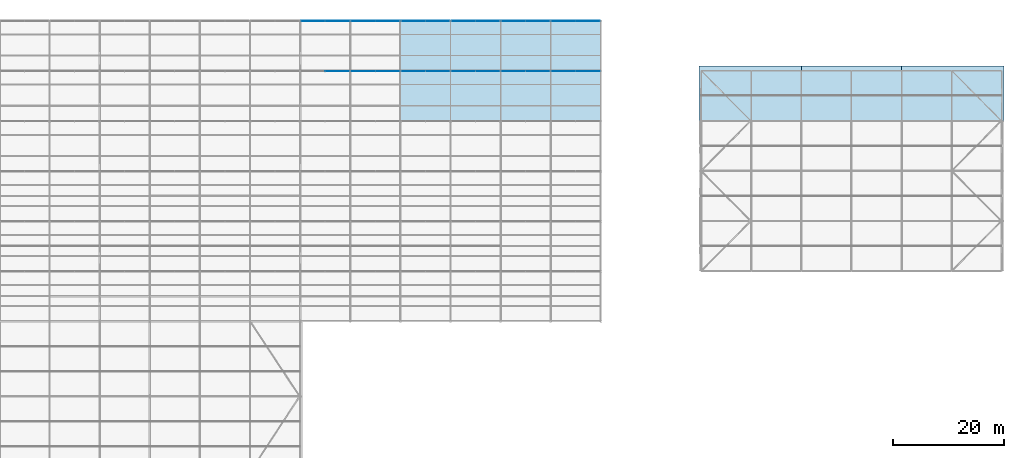
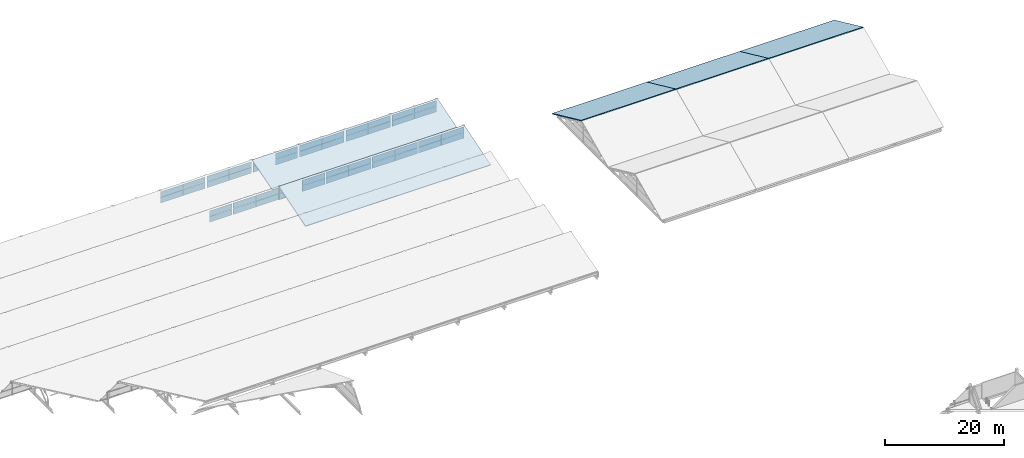
# One storey, part 116 of 163: 46 plates, 5 slabs, 12 elements without a shape of their own.
"""IFC4 building model written with IfcOpenShell, lengths in metres."""

from ifc_helpers import new_model, si_unit, direction, frame, origin, origin_2d, place, context, subcontext, project, spatial, polyline, rectangle, outline, extrude, material, layer, layer_set, type_object, element, aggregate, save


model = new_model("IFC4")

# Units and contexts
model_context = context("Model", 3, precision=1e-05, world=origin(), true_north=direction((0.0, 1.0)))
body_context = subcontext(model_context, "Body", "Model", "MODEL_VIEW")
ifc_project = project(units=[si_unit("LENGTHUNIT", "METRE"), si_unit("AREAUNIT", "SQUARE_METRE"), si_unit("VOLUMEUNIT", "CUBIC_METRE"), si_unit("PLANEANGLEUNIT", "RADIAN"), si_unit("MASSUNIT", "GRAM", prefix="KILO")], contexts=[model_context])

# Site, building, storey
site_placement = place(None, origin())
site = spatial("IfcSite", under=ifc_project, at=site_placement, CompositionType="ELEMENT")
building_placement = place(site_placement, origin())
building = spatial("IfcBuilding", under=site, at=building_placement, Name="Tharagai Park Tramway Depot", CompositionType="ELEMENT")
storey_placement = place(building_placement, frame((0.0, 0.0, 8.39990234375)))
storey = spatial("IfcBuildingStorey", under=building, at=storey_placement, Name="L02", CompositionType="ELEMENT", Elevation=8.39990234375)

# Curtain wall, plates
ifc_material_1 = material(Name="Anodised aluminium", Category="aluminium")
curtain_wall_type_1 = type_object("IfcCurtainWallType", Name="CW-04", PredefinedType="NOTDEFINED", material=ifc_material_1)
curtain_wall_1_placement = place(storey_placement, origin())
curtain_wall_1 = element("IfcCurtainWall", 1, at=curtain_wall_1_placement, inside=storey, type_object=curtain_wall_type_1, Name="Sawtooth North-Light Clerestory CW-04", PredefinedType="NOTDEFINED")
ifc_material_2 = material(Name="Laminated solar-control glass", Category="glass")
ifc_layer_1 = layer(ifc_material_2, 0.028076171875)
ifc_layer_set_1 = layer_set([ifc_layer_1], Name="Laminated solar-control glass")
plate_type = type_object("IfcPlateType", Name="CP-02", PredefinedType="CURTAIN_PANEL", material=ifc_layer_set_1)
plate_1_placement = place(storey_placement, frame((96.699951171875, 134.919921875, 1.28515625), z_axis=(0.0, 0.0, 1.0), x_axis=(1.0, 0.0, 0.0)))
plate_1 = element("IfcPlate", 2, at=plate_1_placement, type_object=plate_type, Name="Sawtooth North-Light Clerestory Glazed Panel 2.1", PredefinedType="CURTAIN_PANEL", context=body_context, shape_type="SweptSolid", body=[
    extrude(rectangle(XDim=4.3798828125, YDim=0.028076171875, at=origin_2d()), origin(), (0.0, 0.0, 1.0), 1.168701171875),
])
plate_2_placement = place(storey_placement, frame((96.699951171875, 134.919921875, 2.49365234375), z_axis=(0.0, 0.0, 1.0), x_axis=(1.0, 0.0, 0.0)))
plate_2 = element("IfcPlate", 3, at=plate_2_placement, type_object=plate_type, Name="Sawtooth North-Light Clerestory Glazed Panel 2.2", PredefinedType="CURTAIN_PANEL", context=body_context, shape_type="SweptSolid", body=[
    extrude(rectangle(XDim=4.3798828125, YDim=0.028076171875, at=origin_2d()), origin(), (0.0, 0.0, 1.0), 1.148681640625),
])
aggregate(curtain_wall_1, [plate_1, plate_2])

curtain_wall_2_placement = place(storey_placement, origin())
curtain_wall_2 = element("IfcCurtainWall", 4, at=curtain_wall_2_placement, inside=storey, type_object=curtain_wall_type_1, Name="Sawtooth North-Light Clerestory CW-04", PredefinedType="NOTDEFINED")
plate_3_placement = place(storey_placement, frame((101.300048828125, 134.919921875, 1.28515625), z_axis=(0.0, 0.0, 1.0), x_axis=(1.0, 0.0, 0.0)))
plate_3 = element("IfcPlate", 5, at=plate_3_placement, type_object=plate_type, Name="Sawtooth North-Light Clerestory Glazed Panel 1.1", PredefinedType="CURTAIN_PANEL", context=body_context, shape_type="SweptSolid", body=[
    extrude(rectangle(XDim=4.3798828125, YDim=0.028076171875, at=origin_2d()), origin(), (0.0, 0.0, 1.0), 1.168701171875),
])
plate_4_placement = place(storey_placement, frame((101.300048828125, 134.919921875, 2.49365234375), z_axis=(0.0, 0.0, 1.0), x_axis=(1.0, 0.0, 0.0)))
plate_4 = element("IfcPlate", 6, at=plate_4_placement, type_object=plate_type, Name="Sawtooth North-Light Clerestory Glazed Panel 1.2", PredefinedType="CURTAIN_PANEL", context=body_context, shape_type="SweptSolid", body=[
    extrude(rectangle(XDim=4.3798828125, YDim=0.028076171875, at=origin_2d()), origin(), (0.0, 0.0, 1.0), 1.148681640625),
])
plate_5_placement = place(storey_placement, frame((105.699951171875, 134.919921875, 1.28515625), z_axis=(0.0, 0.0, 1.0), x_axis=(1.0, 0.0, 0.0)))
plate_5 = element("IfcPlate", 7, at=plate_5_placement, type_object=plate_type, Name="Sawtooth North-Light Clerestory Glazed Panel 2.1", PredefinedType="CURTAIN_PANEL", context=body_context, shape_type="SweptSolid", body=[
    extrude(rectangle(XDim=4.3798828125, YDim=0.028076171875, at=origin_2d()), origin(), (0.0, 0.0, 1.0), 1.168701171875),
])
plate_6_placement = place(storey_placement, frame((105.699951171875, 134.919921875, 2.49365234375), z_axis=(0.0, 0.0, 1.0), x_axis=(1.0, 0.0, 0.0)))
plate_6 = element("IfcPlate", 8, at=plate_6_placement, type_object=plate_type, Name="Sawtooth North-Light Clerestory Glazed Panel 2.2", PredefinedType="CURTAIN_PANEL", context=body_context, shape_type="SweptSolid", body=[
    extrude(rectangle(XDim=4.3798828125, YDim=0.028076171875, at=origin_2d()), origin(), (0.0, 0.0, 1.0), 1.148681640625),
])
aggregate(curtain_wall_2, [plate_3, plate_4, plate_5, plate_6])

curtain_wall_3_placement = place(storey_placement, origin())
curtain_wall_3 = element("IfcCurtainWall", 9, at=curtain_wall_3_placement, inside=storey, type_object=curtain_wall_type_1, Name="Sawtooth North-Light Clerestory CW-04", PredefinedType="NOTDEFINED")
plate_7_placement = place(storey_placement, frame((110.300048828125, 134.919921875, 1.28515625), z_axis=(0.0, 0.0, 1.0), x_axis=(1.0, 0.0, 0.0)))
plate_7 = element("IfcPlate", 10, at=plate_7_placement, type_object=plate_type, Name="Sawtooth North-Light Clerestory Glazed Panel 1.1", PredefinedType="CURTAIN_PANEL", context=body_context, shape_type="SweptSolid", body=[
    extrude(rectangle(XDim=4.3798828125, YDim=0.028076171875, at=origin_2d()), origin(), (0.0, 0.0, 1.0), 1.168701171875),
])
plate_8_placement = place(storey_placement, frame((110.300048828125, 134.919921875, 2.49365234375), z_axis=(0.0, 0.0, 1.0), x_axis=(1.0, 0.0, 0.0)))
plate_8 = element("IfcPlate", 11, at=plate_8_placement, type_object=plate_type, Name="Sawtooth North-Light Clerestory Glazed Panel 1.2", PredefinedType="CURTAIN_PANEL", context=body_context, shape_type="SweptSolid", body=[
    extrude(rectangle(XDim=4.3798828125, YDim=0.028076171875, at=origin_2d()), origin(), (0.0, 0.0, 1.0), 1.148681640625),
])
plate_9_placement = place(storey_placement, frame((114.699951171875, 134.919921875, 1.28515625), z_axis=(0.0, 0.0, 1.0), x_axis=(1.0, 0.0, 0.0)))
plate_9 = element("IfcPlate", 12, at=plate_9_placement, type_object=plate_type, Name="Sawtooth North-Light Clerestory Glazed Panel 2.1", PredefinedType="CURTAIN_PANEL", context=body_context, shape_type="SweptSolid", body=[
    extrude(rectangle(XDim=4.3798828125, YDim=0.028076171875, at=origin_2d()), origin(), (0.0, 0.0, 1.0), 1.168701171875),
])
plate_10_placement = place(storey_placement, frame((114.699951171875, 134.919921875, 2.49365234375), z_axis=(0.0, 0.0, 1.0), x_axis=(1.0, 0.0, 0.0)))
plate_10 = element("IfcPlate", 13, at=plate_10_placement, type_object=plate_type, Name="Sawtooth North-Light Clerestory Glazed Panel 2.2", PredefinedType="CURTAIN_PANEL", context=body_context, shape_type="SweptSolid", body=[
    extrude(rectangle(XDim=4.3798828125, YDim=0.028076171875, at=origin_2d()), origin(), (0.0, 0.0, 1.0), 1.148681640625),
])
aggregate(curtain_wall_3, [plate_7, plate_8, plate_9, plate_10])

curtain_wall_4_placement = place(storey_placement, origin())
curtain_wall_4 = element("IfcCurtainWall", 14, at=curtain_wall_4_placement, inside=storey, type_object=curtain_wall_type_1, Name="Sawtooth North-Light Clerestory CW-04", PredefinedType="NOTDEFINED")
plate_11_placement = place(storey_placement, frame((119.300048828125, 134.919921875, 1.28515625), z_axis=(0.0, 0.0, 1.0), x_axis=(1.0, 0.0, 0.0)))
plate_11 = element("IfcPlate", 15, at=plate_11_placement, type_object=plate_type, Name="Sawtooth North-Light Clerestory Glazed Panel 1.1", PredefinedType="CURTAIN_PANEL", context=body_context, shape_type="SweptSolid", body=[
    extrude(rectangle(XDim=4.3798828125, YDim=0.028076171875, at=origin_2d()), origin(), (0.0, 0.0, 1.0), 1.168701171875),
])
plate_12_placement = place(storey_placement, frame((119.300048828125, 134.919921875, 2.49365234375), z_axis=(0.0, 0.0, 1.0), x_axis=(1.0, 0.0, 0.0)))
plate_12 = element("IfcPlate", 16, at=plate_12_placement, type_object=plate_type, Name="Sawtooth North-Light Clerestory Glazed Panel 1.2", PredefinedType="CURTAIN_PANEL", context=body_context, shape_type="SweptSolid", body=[
    extrude(rectangle(XDim=4.3798828125, YDim=0.028076171875, at=origin_2d()), origin(), (0.0, 0.0, 1.0), 1.148681640625),
])
plate_13_placement = place(storey_placement, frame((123.699951171875, 134.919921875, 1.28515625), z_axis=(0.0, 0.0, 1.0), x_axis=(1.0, 0.0, 0.0)))
plate_13 = element("IfcPlate", 17, at=plate_13_placement, type_object=plate_type, Name="Sawtooth North-Light Clerestory Glazed Panel 2.1", PredefinedType="CURTAIN_PANEL", context=body_context, shape_type="SweptSolid", body=[
    extrude(rectangle(XDim=4.3798828125, YDim=0.028076171875, at=origin_2d()), origin(), (0.0, 0.0, 1.0), 1.168701171875),
])
plate_14_placement = place(storey_placement, frame((123.699951171875, 134.919921875, 2.49365234375), z_axis=(0.0, 0.0, 1.0), x_axis=(1.0, 0.0, 0.0)))
plate_14 = element("IfcPlate", 18, at=plate_14_placement, type_object=plate_type, Name="Sawtooth North-Light Clerestory Glazed Panel 2.2", PredefinedType="CURTAIN_PANEL", context=body_context, shape_type="SweptSolid", body=[
    extrude(rectangle(XDim=4.3798828125, YDim=0.028076171875, at=origin_2d()), origin(), (0.0, 0.0, 1.0), 1.148681640625),
])
aggregate(curtain_wall_4, [plate_11, plate_12, plate_13, plate_14])

curtain_wall_5_placement = place(storey_placement, origin())
curtain_wall_5 = element("IfcCurtainWall", 19, at=curtain_wall_5_placement, inside=storey, type_object=curtain_wall_type_1, Name="Sawtooth North-Light Clerestory CW-04", PredefinedType="NOTDEFINED")
plate_15_placement = place(storey_placement, frame((128.300048828125, 134.919921875, 1.28515625), z_axis=(0.0, 0.0, 1.0), x_axis=(1.0, 0.0, 0.0)))
plate_15 = element("IfcPlate", 20, at=plate_15_placement, type_object=plate_type, Name="Sawtooth North-Light Clerestory Glazed Panel 1.1", PredefinedType="CURTAIN_PANEL", context=body_context, shape_type="SweptSolid", body=[
    extrude(rectangle(XDim=4.3798828125, YDim=0.028076171875, at=origin_2d()), origin(), (0.0, 0.0, 1.0), 1.168701171875),
])
plate_16_placement = place(storey_placement, frame((128.300048828125, 134.919921875, 2.49365234375), z_axis=(0.0, 0.0, 1.0), x_axis=(1.0, 0.0, 0.0)))
plate_16 = element("IfcPlate", 21, at=plate_16_placement, type_object=plate_type, Name="Sawtooth North-Light Clerestory Glazed Panel 1.2", PredefinedType="CURTAIN_PANEL", context=body_context, shape_type="SweptSolid", body=[
    extrude(rectangle(XDim=4.3798828125, YDim=0.028076171875, at=origin_2d()), origin(), (0.0, 0.0, 1.0), 1.148681640625),
])
plate_17_placement = place(storey_placement, frame((132.699951171875, 134.919921875, 1.28515625), z_axis=(0.0, 0.0, 1.0), x_axis=(1.0, 0.0, 0.0)))
plate_17 = element("IfcPlate", 22, at=plate_17_placement, type_object=plate_type, Name="Sawtooth North-Light Clerestory Glazed Panel 2.1", PredefinedType="CURTAIN_PANEL", context=body_context, shape_type="SweptSolid", body=[
    extrude(rectangle(XDim=4.3798828125, YDim=0.028076171875, at=origin_2d()), origin(), (0.0, 0.0, 1.0), 1.168701171875),
])
plate_18_placement = place(storey_placement, frame((132.699951171875, 134.919921875, 2.49365234375), z_axis=(0.0, 0.0, 1.0), x_axis=(1.0, 0.0, 0.0)))
plate_18 = element("IfcPlate", 23, at=plate_18_placement, type_object=plate_type, Name="Sawtooth North-Light Clerestory Glazed Panel 2.2", PredefinedType="CURTAIN_PANEL", context=body_context, shape_type="SweptSolid", body=[
    extrude(rectangle(XDim=4.3798828125, YDim=0.028076171875, at=origin_2d()), origin(), (0.0, 0.0, 1.0), 1.148681640625),
])
aggregate(curtain_wall_5, [plate_15, plate_16, plate_17, plate_18])

curtain_wall_6_placement = place(storey_placement, origin())
curtain_wall_6 = element("IfcCurtainWall", 24, at=curtain_wall_6_placement, inside=storey, type_object=curtain_wall_type_1, Name="Sawtooth North-Light Clerestory CW-04", PredefinedType="NOTDEFINED")
plate_19_placement = place(storey_placement, frame((137.300048828125, 134.919921875, 1.28515625), z_axis=(0.0, 0.0, 1.0), x_axis=(1.0, 0.0, 0.0)))
plate_19 = element("IfcPlate", 25, at=plate_19_placement, type_object=plate_type, Name="Sawtooth North-Light Clerestory Glazed Panel 1.1", PredefinedType="CURTAIN_PANEL", context=body_context, shape_type="SweptSolid", body=[
    extrude(rectangle(XDim=4.3798828125, YDim=0.028076171875, at=origin_2d()), origin(), (0.0, 0.0, 1.0), 1.168701171875),
])
plate_20_placement = place(storey_placement, frame((137.300048828125, 134.919921875, 2.49365234375), z_axis=(0.0, 0.0, 1.0), x_axis=(1.0, 0.0, 0.0)))
plate_20 = element("IfcPlate", 26, at=plate_20_placement, type_object=plate_type, Name="Sawtooth North-Light Clerestory Glazed Panel 1.2", PredefinedType="CURTAIN_PANEL", context=body_context, shape_type="SweptSolid", body=[
    extrude(rectangle(XDim=4.3798828125, YDim=0.028076171875, at=origin_2d()), origin(), (0.0, 0.0, 1.0), 1.148681640625),
])
plate_21_placement = place(storey_placement, frame((141.699951171875, 134.919921875, 1.28515625), z_axis=(0.0, 0.0, 1.0), x_axis=(1.0, 0.0, 0.0)))
plate_21 = element("IfcPlate", 27, at=plate_21_placement, type_object=plate_type, Name="Sawtooth North-Light Clerestory Glazed Panel 2.1", PredefinedType="CURTAIN_PANEL", context=body_context, shape_type="SweptSolid", body=[
    extrude(rectangle(XDim=4.3798828125, YDim=0.028076171875, at=origin_2d()), origin(), (0.0, 0.0, 1.0), 1.168701171875),
])
plate_22_placement = place(storey_placement, frame((141.699951171875, 134.919921875, 2.49365234375), z_axis=(0.0, 0.0, 1.0), x_axis=(1.0, 0.0, 0.0)))
plate_22 = element("IfcPlate", 28, at=plate_22_placement, type_object=plate_type, Name="Sawtooth North-Light Clerestory Glazed Panel 2.2", PredefinedType="CURTAIN_PANEL", context=body_context, shape_type="SweptSolid", body=[
    extrude(rectangle(XDim=4.3798828125, YDim=0.028076171875, at=origin_2d()), origin(), (0.0, 0.0, 1.0), 1.148681640625),
])
aggregate(curtain_wall_6, [plate_19, plate_20, plate_21, plate_22])

curtain_wall_type_2 = type_object("IfcCurtainWallType", Name="CW-03", PredefinedType="NOTDEFINED", material=ifc_material_1)
curtain_wall_7_placement = place(storey_placement, origin())
curtain_wall_7 = element("IfcCurtainWall", 29, at=curtain_wall_7_placement, inside=storey, type_object=curtain_wall_type_2, Name="Sawtooth North-Light Clerestory CW-03", PredefinedType="NOTDEFINED")
plate_23_placement = place(storey_placement, frame((92.340087890625, 143.919921875, 1.28515625), z_axis=(0.0, 0.0, 1.0), x_axis=(1.0, 0.0, 0.0)))
plate_23 = element("IfcPlate", 30, at=plate_23_placement, type_object=plate_type, Name="Sawtooth North-Light Clerestory Glazed Panel 1.1", PredefinedType="CURTAIN_PANEL", context=body_context, shape_type="SweptSolid", body=[
    extrude(rectangle(XDim=4.300048828125, YDim=0.028076171875, at=origin_2d()), origin(), (0.0, 0.0, 1.0), 1.168701171875),
])
plate_24_placement = place(storey_placement, frame((92.340087890625, 143.919921875, 2.49365234375), z_axis=(0.0, 0.0, 1.0), x_axis=(1.0, 0.0, 0.0)))
plate_24 = element("IfcPlate", 31, at=plate_24_placement, type_object=plate_type, Name="Sawtooth North-Light Clerestory Glazed Panel 1.2", PredefinedType="CURTAIN_PANEL", context=body_context, shape_type="SweptSolid", body=[
    extrude(rectangle(XDim=4.300048828125, YDim=0.028076171875, at=origin_2d()), origin(), (0.0, 0.0, 1.0), 1.148681640625),
])
plate_25_placement = place(storey_placement, frame((96.659912109375, 143.919921875, 1.28515625), z_axis=(0.0, 0.0, 1.0), x_axis=(1.0, 0.0, 0.0)))
plate_25 = element("IfcPlate", 32, at=plate_25_placement, type_object=plate_type, Name="Sawtooth North-Light Clerestory Glazed Panel 2.1", PredefinedType="CURTAIN_PANEL", context=body_context, shape_type="SweptSolid", body=[
    extrude(rectangle(XDim=4.300048828125, YDim=0.028076171875, at=origin_2d()), origin(), (0.0, 0.0, 1.0), 1.168701171875),
])
plate_26_placement = place(storey_placement, frame((96.659912109375, 143.919921875, 2.49365234375), z_axis=(0.0, 0.0, 1.0), x_axis=(1.0, 0.0, 0.0)))
plate_26 = element("IfcPlate", 33, at=plate_26_placement, type_object=plate_type, Name="Sawtooth North-Light Clerestory Glazed Panel 2.2", PredefinedType="CURTAIN_PANEL", context=body_context, shape_type="SweptSolid", body=[
    extrude(rectangle(XDim=4.300048828125, YDim=0.028076171875, at=origin_2d()), origin(), (0.0, 0.0, 1.0), 1.148681640625),
])
aggregate(curtain_wall_7, [plate_23, plate_24, plate_25, plate_26])

curtain_wall_8_placement = place(storey_placement, origin())
curtain_wall_8 = element("IfcCurtainWall", 34, at=curtain_wall_8_placement, inside=storey, type_object=curtain_wall_type_2, Name="Sawtooth North-Light Clerestory CW-03", PredefinedType="NOTDEFINED")
plate_27_placement = place(storey_placement, frame((101.340087890625, 143.919921875, 1.28515625), z_axis=(0.0, 0.0, 1.0), x_axis=(1.0, 0.0, 0.0)))
plate_27 = element("IfcPlate", 35, at=plate_27_placement, type_object=plate_type, Name="Sawtooth North-Light Clerestory Glazed Panel 1.1", PredefinedType="CURTAIN_PANEL", context=body_context, shape_type="SweptSolid", body=[
    extrude(rectangle(XDim=4.300048828125, YDim=0.028076171875, at=origin_2d()), origin(), (0.0, 0.0, 1.0), 1.168701171875),
])
plate_28_placement = place(storey_placement, frame((101.340087890625, 143.919921875, 2.49365234375), z_axis=(0.0, 0.0, 1.0), x_axis=(1.0, 0.0, 0.0)))
plate_28 = element("IfcPlate", 36, at=plate_28_placement, type_object=plate_type, Name="Sawtooth North-Light Clerestory Glazed Panel 1.2", PredefinedType="CURTAIN_PANEL", context=body_context, shape_type="SweptSolid", body=[
    extrude(rectangle(XDim=4.300048828125, YDim=0.028076171875, at=origin_2d()), origin(), (0.0, 0.0, 1.0), 1.148681640625),
])
plate_29_placement = place(storey_placement, frame((105.659912109375, 143.919921875, 1.28515625), z_axis=(0.0, 0.0, 1.0), x_axis=(1.0, 0.0, 0.0)))
plate_29 = element("IfcPlate", 37, at=plate_29_placement, type_object=plate_type, Name="Sawtooth North-Light Clerestory Glazed Panel 2.1", PredefinedType="CURTAIN_PANEL", context=body_context, shape_type="SweptSolid", body=[
    extrude(rectangle(XDim=4.300048828125, YDim=0.028076171875, at=origin_2d()), origin(), (0.0, 0.0, 1.0), 1.168701171875),
])
plate_30_placement = place(storey_placement, frame((105.659912109375, 143.919921875, 2.49365234375), z_axis=(0.0, 0.0, 1.0), x_axis=(1.0, 0.0, 0.0)))
plate_30 = element("IfcPlate", 38, at=plate_30_placement, type_object=plate_type, Name="Sawtooth North-Light Clerestory Glazed Panel 2.2", PredefinedType="CURTAIN_PANEL", context=body_context, shape_type="SweptSolid", body=[
    extrude(rectangle(XDim=4.300048828125, YDim=0.028076171875, at=origin_2d()), origin(), (0.0, 0.0, 1.0), 1.148681640625),
])
aggregate(curtain_wall_8, [plate_27, plate_28, plate_29, plate_30])

curtain_wall_9_placement = place(storey_placement, origin())
curtain_wall_9 = element("IfcCurtainWall", 39, at=curtain_wall_9_placement, inside=storey, type_object=curtain_wall_type_2, Name="Sawtooth North-Light Clerestory CW-03", PredefinedType="NOTDEFINED")
plate_31_placement = place(storey_placement, frame((110.340087890625, 143.919921875, 1.28515625), z_axis=(0.0, 0.0, 1.0), x_axis=(1.0, 0.0, 0.0)))
plate_31 = element("IfcPlate", 40, at=plate_31_placement, type_object=plate_type, Name="Sawtooth North-Light Clerestory Glazed Panel 1.1", PredefinedType="CURTAIN_PANEL", context=body_context, shape_type="SweptSolid", body=[
    extrude(rectangle(XDim=4.300048828125, YDim=0.028076171875, at=origin_2d()), origin(), (0.0, 0.0, 1.0), 1.168701171875),
])
plate_32_placement = place(storey_placement, frame((110.340087890625, 143.919921875, 2.49365234375), z_axis=(0.0, 0.0, 1.0), x_axis=(1.0, 0.0, 0.0)))
plate_32 = element("IfcPlate", 41, at=plate_32_placement, type_object=plate_type, Name="Sawtooth North-Light Clerestory Glazed Panel 1.2", PredefinedType="CURTAIN_PANEL", context=body_context, shape_type="SweptSolid", body=[
    extrude(rectangle(XDim=4.300048828125, YDim=0.028076171875, at=origin_2d()), origin(), (0.0, 0.0, 1.0), 1.148681640625),
])
plate_33_placement = place(storey_placement, frame((114.659912109375, 143.919921875, 1.28515625), z_axis=(0.0, 0.0, 1.0), x_axis=(1.0, 0.0, 0.0)))
plate_33 = element("IfcPlate", 42, at=plate_33_placement, type_object=plate_type, Name="Sawtooth North-Light Clerestory Glazed Panel 2.1", PredefinedType="CURTAIN_PANEL", context=body_context, shape_type="SweptSolid", body=[
    extrude(rectangle(XDim=4.300048828125, YDim=0.028076171875, at=origin_2d()), origin(), (0.0, 0.0, 1.0), 1.168701171875),
])
plate_34_placement = place(storey_placement, frame((114.659912109375, 143.919921875, 2.49365234375), z_axis=(0.0, 0.0, 1.0), x_axis=(1.0, 0.0, 0.0)))
plate_34 = element("IfcPlate", 43, at=plate_34_placement, type_object=plate_type, Name="Sawtooth North-Light Clerestory Glazed Panel 2.2", PredefinedType="CURTAIN_PANEL", context=body_context, shape_type="SweptSolid", body=[
    extrude(rectangle(XDim=4.300048828125, YDim=0.028076171875, at=origin_2d()), origin(), (0.0, 0.0, 1.0), 1.148681640625),
])
aggregate(curtain_wall_9, [plate_31, plate_32, plate_33, plate_34])

curtain_wall_10_placement = place(storey_placement, origin())
curtain_wall_10 = element("IfcCurtainWall", 44, at=curtain_wall_10_placement, inside=storey, type_object=curtain_wall_type_2, Name="Sawtooth North-Light Clerestory CW-03", PredefinedType="NOTDEFINED")
plate_35_placement = place(storey_placement, frame((119.340087890625, 143.919921875, 1.28515625), z_axis=(0.0, 0.0, 1.0), x_axis=(1.0, 0.0, 0.0)))
plate_35 = element("IfcPlate", 45, at=plate_35_placement, type_object=plate_type, Name="Sawtooth North-Light Clerestory Glazed Panel 1.1", PredefinedType="CURTAIN_PANEL", context=body_context, shape_type="SweptSolid", body=[
    extrude(rectangle(XDim=4.300048828125, YDim=0.028076171875, at=origin_2d()), origin(), (0.0, 0.0, 1.0), 1.168701171875),
])
plate_36_placement = place(storey_placement, frame((119.340087890625, 143.919921875, 2.49365234375), z_axis=(0.0, 0.0, 1.0), x_axis=(1.0, 0.0, 0.0)))
plate_36 = element("IfcPlate", 46, at=plate_36_placement, type_object=plate_type, Name="Sawtooth North-Light Clerestory Glazed Panel 1.2", PredefinedType="CURTAIN_PANEL", context=body_context, shape_type="SweptSolid", body=[
    extrude(rectangle(XDim=4.300048828125, YDim=0.028076171875, at=origin_2d()), origin(), (0.0, 0.0, 1.0), 1.148681640625),
])
plate_37_placement = place(storey_placement, frame((123.659912109375, 143.919921875, 1.28515625), z_axis=(0.0, 0.0, 1.0), x_axis=(1.0, 0.0, 0.0)))
plate_37 = element("IfcPlate", 47, at=plate_37_placement, type_object=plate_type, Name="Sawtooth North-Light Clerestory Glazed Panel 2.1", PredefinedType="CURTAIN_PANEL", context=body_context, shape_type="SweptSolid", body=[
    extrude(rectangle(XDim=4.300048828125, YDim=0.028076171875, at=origin_2d()), origin(), (0.0, 0.0, 1.0), 1.168701171875),
])
plate_38_placement = place(storey_placement, frame((123.659912109375, 143.919921875, 2.49365234375), z_axis=(0.0, 0.0, 1.0), x_axis=(1.0, 0.0, 0.0)))
plate_38 = element("IfcPlate", 48, at=plate_38_placement, type_object=plate_type, Name="Sawtooth North-Light Clerestory Glazed Panel 2.2", PredefinedType="CURTAIN_PANEL", context=body_context, shape_type="SweptSolid", body=[
    extrude(rectangle(XDim=4.300048828125, YDim=0.028076171875, at=origin_2d()), origin(), (0.0, 0.0, 1.0), 1.148681640625),
])
aggregate(curtain_wall_10, [plate_35, plate_36, plate_37, plate_38])

curtain_wall_11_placement = place(storey_placement, origin())
curtain_wall_11 = element("IfcCurtainWall", 49, at=curtain_wall_11_placement, inside=storey, type_object=curtain_wall_type_2, Name="Sawtooth North-Light Clerestory CW-03", PredefinedType="NOTDEFINED")
plate_39_placement = place(storey_placement, frame((128.340087890625, 143.919921875, 1.28515625), z_axis=(0.0, 0.0, 1.0), x_axis=(1.0, 0.0, 0.0)))
plate_39 = element("IfcPlate", 50, at=plate_39_placement, type_object=plate_type, Name="Sawtooth North-Light Clerestory Glazed Panel 1.1", PredefinedType="CURTAIN_PANEL", context=body_context, shape_type="SweptSolid", body=[
    extrude(rectangle(XDim=4.300048828125, YDim=0.028076171875, at=origin_2d()), origin(), (0.0, 0.0, 1.0), 1.168701171875),
])
plate_40_placement = place(storey_placement, frame((128.340087890625, 143.919921875, 2.49365234375), z_axis=(0.0, 0.0, 1.0), x_axis=(1.0, 0.0, 0.0)))
plate_40 = element("IfcPlate", 51, at=plate_40_placement, type_object=plate_type, Name="Sawtooth North-Light Clerestory Glazed Panel 1.2", PredefinedType="CURTAIN_PANEL", context=body_context, shape_type="SweptSolid", body=[
    extrude(rectangle(XDim=4.300048828125, YDim=0.028076171875, at=origin_2d()), origin(), (0.0, 0.0, 1.0), 1.148681640625),
])
plate_41_placement = place(storey_placement, frame((132.659912109375, 143.919921875, 1.28515625), z_axis=(0.0, 0.0, 1.0), x_axis=(1.0, 0.0, 0.0)))
plate_41 = element("IfcPlate", 52, at=plate_41_placement, type_object=plate_type, Name="Sawtooth North-Light Clerestory Glazed Panel 2.1", PredefinedType="CURTAIN_PANEL", context=body_context, shape_type="SweptSolid", body=[
    extrude(rectangle(XDim=4.300048828125, YDim=0.028076171875, at=origin_2d()), origin(), (0.0, 0.0, 1.0), 1.168701171875),
])
plate_42_placement = place(storey_placement, frame((132.659912109375, 143.919921875, 2.49365234375), z_axis=(0.0, 0.0, 1.0), x_axis=(1.0, 0.0, 0.0)))
plate_42 = element("IfcPlate", 53, at=plate_42_placement, type_object=plate_type, Name="Sawtooth North-Light Clerestory Glazed Panel 2.2", PredefinedType="CURTAIN_PANEL", context=body_context, shape_type="SweptSolid", body=[
    extrude(rectangle(XDim=4.300048828125, YDim=0.028076171875, at=origin_2d()), origin(), (0.0, 0.0, 1.0), 1.148681640625),
])
aggregate(curtain_wall_11, [plate_39, plate_40, plate_41, plate_42])

curtain_wall_12_placement = place(storey_placement, origin())
curtain_wall_12 = element("IfcCurtainWall", 54, at=curtain_wall_12_placement, inside=storey, type_object=curtain_wall_type_2, Name="Sawtooth North-Light Clerestory CW-03", PredefinedType="NOTDEFINED")
plate_43_placement = place(storey_placement, frame((137.340087890625, 143.919921875, 1.28515625), z_axis=(0.0, 0.0, 1.0), x_axis=(1.0, 0.0, 0.0)))
plate_43 = element("IfcPlate", 55, at=plate_43_placement, type_object=plate_type, Name="Sawtooth North-Light Clerestory Glazed Panel 1.1", PredefinedType="CURTAIN_PANEL", context=body_context, shape_type="SweptSolid", body=[
    extrude(rectangle(XDim=4.300048828125, YDim=0.028076171875, at=origin_2d()), origin(), (0.0, 0.0, 1.0), 1.168701171875),
])
plate_44_placement = place(storey_placement, frame((137.340087890625, 143.919921875, 2.49365234375), z_axis=(0.0, 0.0, 1.0), x_axis=(1.0, 0.0, 0.0)))
plate_44 = element("IfcPlate", 56, at=plate_44_placement, type_object=plate_type, Name="Sawtooth North-Light Clerestory Glazed Panel 1.2", PredefinedType="CURTAIN_PANEL", context=body_context, shape_type="SweptSolid", body=[
    extrude(rectangle(XDim=4.300048828125, YDim=0.028076171875, at=origin_2d()), origin(), (0.0, 0.0, 1.0), 1.148681640625),
])
plate_45_placement = place(storey_placement, frame((141.659912109375, 143.919921875, 1.28515625), z_axis=(0.0, 0.0, 1.0), x_axis=(1.0, 0.0, 0.0)))
plate_45 = element("IfcPlate", 57, at=plate_45_placement, type_object=plate_type, Name="Sawtooth North-Light Clerestory Glazed Panel 2.1", PredefinedType="CURTAIN_PANEL", context=body_context, shape_type="SweptSolid", body=[
    extrude(rectangle(XDim=4.300048828125, YDim=0.028076171875, at=origin_2d()), origin(), (0.0, 0.0, 1.0), 1.168701171875),
])
plate_46_placement = place(storey_placement, frame((141.659912109375, 143.919921875, 2.49365234375), z_axis=(0.0, 0.0, 1.0), x_axis=(1.0, 0.0, 0.0)))
plate_46 = element("IfcPlate", 58, at=plate_46_placement, type_object=plate_type, Name="Sawtooth North-Light Clerestory Glazed Panel 2.2", PredefinedType="CURTAIN_PANEL", context=body_context, shape_type="SweptSolid", body=[
    extrude(rectangle(XDim=4.300048828125, YDim=0.028076171875, at=origin_2d()), origin(), (0.0, 0.0, 1.0), 1.148681640625),
])
aggregate(curtain_wall_12, [plate_43, plate_44, plate_45, plate_46])

# Slabs
ifc_material_3 = material(Name="Concrete M35", Category="concrete")
ifc_layer_2 = layer(ifc_material_3, 0.169921875)
ifc_layer_set_2 = layer_set([ifc_layer_2], Name="Concrete M35")
slab_type_1 = type_object("IfcSlabType", Name="RS-02", PredefinedType="ROOF", material=ifc_layer_set_2)
slab_1_placement = place(storey_placement, frame((180.0, 135.85009765625, -0.38720703125), z_axis=(0.0, 0.41784145801, 0.908519959037), x_axis=(-1.0, 0.0, 0.0)))
element("IfcSlab", 59, at=slab_1_placement, inside=storey, type_object=slab_type_1, Name="V3B2 North Pitched Roof Slab 1", PredefinedType="ROOF", context=body_context, shape_type="SweptSolid", body=[
    extrude(outline(polyline([(0.0, 0.0), (18.39990234375, 0.0), (18.39990234375, 10.742757678071946), (0.0, 10.742757678071946), (0.0, 0.0)])), origin(), (0.0, 0.0, -1.0), 0.169921875),
])
slab_2_placement = place(storey_placement, frame((198.0, 135.85009765625, -0.38720703125), z_axis=(0.0, 0.41784145801, 0.908519959037), x_axis=(-1.0, 0.0, 0.0)))
element("IfcSlab", 60, at=slab_2_placement, inside=storey, type_object=slab_type_1, Name="V3B2 North Pitched Roof Slab 2", PredefinedType="ROOF", context=body_context, shape_type="SweptSolid", body=[
    extrude(outline(polyline([(0.0, 0.0), (18.0, 0.0), (18.0, 10.742757678071946), (0.0, 10.742757678071946), (0.0, 0.0)])), origin(), (0.0, 0.0, -1.0), 0.169921875),
])
slab_3_placement = place(storey_placement, frame((216.39990234375, 135.85009765625, -0.38720703125), z_axis=(0.0, 0.41784145801, 0.908519959037), x_axis=(-1.0, 0.0, 0.0)))
element("IfcSlab", 61, at=slab_3_placement, inside=storey, type_object=slab_type_1, Name="V3B2 North Pitched Roof Slab 3", PredefinedType="ROOF", context=body_context, shape_type="SweptSolid", body=[
    extrude(outline(polyline([(0.0, 0.0), (18.39990234375, 0.0), (18.39990234375, 10.742757678071946), (0.0, 10.742757678071946), (0.0, 0.0)])), origin(), (0.0, 0.0, -1.0), 0.169921875),
])
ifc_layer_3 = layer(ifc_material_3, 0.159912109375)
ifc_layer_set_3 = layer_set([ifc_layer_3], Name="Concrete M35")
slab_type_2 = type_object("IfcSlabType", Name="RS-04", PredefinedType="ROOF", material=ifc_layer_set_3)
for number, where, z_axis, x_axis, name in (
    (62, (108.0, 126.0, 1.2001953125), (0.0, -0.289034229425, 0.95731876312), (1.0, 0.0, 0.0), "V1 Sawtooth Tooth 5 Sloped Roof Slab 4"),
    (63, (108.0, 135.0, 1.2001953125), (0.0, -0.289034229425, 0.95731876312), (1.0, 0.0, 0.0), "V1 Sawtooth Tooth 6 Sloped Roof Slab 4"),
):
    element("IfcSlab", number, at=place(storey_placement, frame(where, z_axis=z_axis, x_axis=x_axis)), inside=storey, type_object=slab_type_2, Name=name, PredefinedType="ROOF", context=body_context, shape_type="SweptSolid", body=[
        extrude(outline(polyline([(0.0, 0.0), (36.0, 0.0), (36.0, 9.401257289340432), (0.0, 9.401257289340432), (0.0, 0.0)])), origin(), (0.0, 0.0, -1.0), 0.159912109375),
    ])

save(model, "model.ifc")
